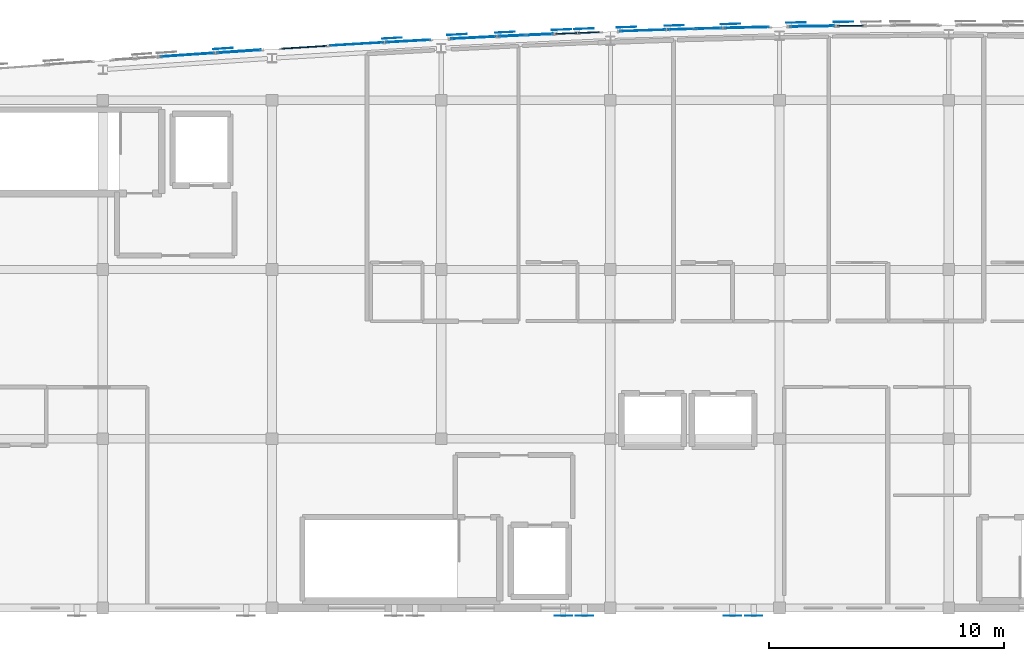
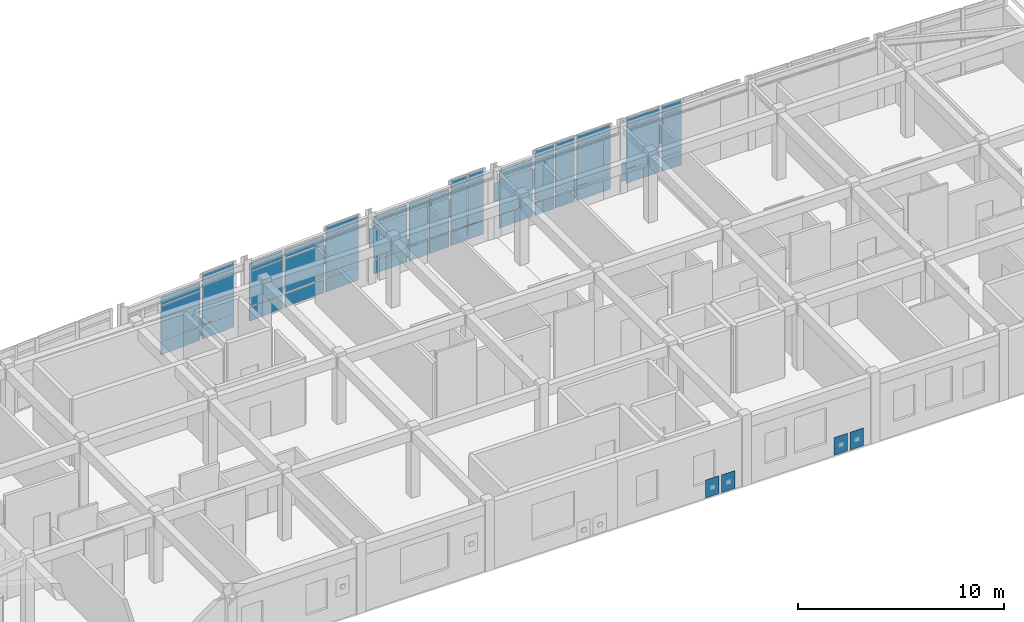
# One storey, part 17 of 24: 63 plates, 13 elements without a shape of their own.
"""IFC4 building model written with IfcOpenShell, lengths in metres."""

from ifc_helpers import new_model, si_unit, direction, frame, origin, origin_2d, place, context, subcontext, project, spatial, rectangle, extrude, material, layer, layer_set, type_object, element, aggregate, save


model = new_model("IFC4")

# Units and contexts
model_context = context("Model", 3, precision=1e-05, world=origin(), true_north=direction((0.0, 1.0)))
body_context = subcontext(model_context, "Body", "Model", "MODEL_VIEW")
ifc_project = project(units=[si_unit("LENGTHUNIT", "METRE"), si_unit("AREAUNIT", "SQUARE_METRE"), si_unit("VOLUMEUNIT", "CUBIC_METRE"), si_unit("PLANEANGLEUNIT", "RADIAN"), si_unit("MASSUNIT", "GRAM", prefix="KILO")], contexts=[model_context])

# Site, building, storey
site_placement = place(None, origin())
site = spatial("IfcSite", under=ifc_project, at=site_placement, CompositionType="ELEMENT")
building_placement = place(site_placement, origin())
building = spatial("IfcBuilding", under=site, at=building_placement, Name="Carrowvane Square Congress Hotel", CompositionType="ELEMENT")
storey_placement = place(building_placement, frame((0.0, 0.0, 44.39990234375)))
storey = spatial("IfcBuildingStorey", under=building, at=storey_placement, Name="L11", CompositionType="ELEMENT", Elevation=44.39990234375)

# Curtain wall, plates
ifc_material_1 = material(Name="Anodised aluminium", Category="aluminium")
ifc_layer_1 = layer(ifc_material_1, 0.197998046875)
ifc_layer_set_1 = layer_set([ifc_layer_1], Name="Anodised aluminium")
curtain_wall_type_1 = type_object("IfcCurtainWallType", Name="CW-SYS-4", PredefinedType="NOTDEFINED", material=ifc_layer_set_1)
curtain_wall_1_placement = place(storey_placement, origin())
curtain_wall_1 = element("IfcCurtainWall", 1, at=curtain_wall_1_placement, inside=storey, type_object=curtain_wall_type_1, Name="L11 unitised curtain wall 595", PredefinedType="NOTDEFINED")
ifc_material_2 = material(Name="Double-glazed low-E glass", Category="glass")
ifc_layer_2 = layer(ifc_material_2, 0.028076171875)
ifc_layer_set_2 = layer_set([ifc_layer_2], Name="Double-glazed low-E glass")
plate_type_1 = type_object("IfcPlateType", Name="CW-PAN-1", PredefinedType="CURTAIN_PANEL", material=ifc_layer_set_2)
plate_1_placement = place(storey_placement, frame((72.800048828125, 115.795166015625, 0.070068359375), z_axis=(0.0, 0.0, 1.0), x_axis=(0.998266763162, 0.058851249486, 0.0)))
plate_1 = element("IfcPlate", 2, at=plate_1_placement, type_object=plate_type_1, Name="CW-4 panel 1.1", PredefinedType="CURTAIN_PANEL", context=body_context, shape_type="SweptSolid", body=[
    extrude(rectangle(XDim=2.26416015625, YDim=0.028076171875, at=origin_2d()), origin(), (0.0, 0.0, 1.0), 0.794921875),
])
plate_2_placement = place(storey_placement, frame((72.800048828125, 115.795166015625, 0.93505859375), z_axis=(0.0, 0.0, 1.0), x_axis=(0.998266763162, 0.058851249486, 0.0)))
plate_2 = element("IfcPlate", 3, at=plate_2_placement, type_object=plate_type_1, Name="CW-4 panel 1.2", PredefinedType="CURTAIN_PANEL", context=body_context, shape_type="SweptSolid", body=[
    extrude(rectangle(XDim=2.26416015625, YDim=0.028076171875, at=origin_2d()), origin(), (0.0, 0.0, 1.0), 2.005615234375),
])
plate_3_placement = place(storey_placement, frame((72.800048828125, 115.795166015625, 3.0107421875), z_axis=(0.0, 0.0, 1.0), x_axis=(0.998266763162, 0.058851249486, 0.0)))
plate_3 = element("IfcPlate", 4, at=plate_3_placement, type_object=plate_type_1, Name="CW-4 panel 1.3", PredefinedType="CURTAIN_PANEL", context=body_context, shape_type="SweptSolid", body=[
    extrude(rectangle(XDim=2.26416015625, YDim=0.028076171875, at=origin_2d()), origin(), (0.0, 0.0, 1.0), 0.445068359375),
])
aggregate(curtain_wall_1, [plate_1, plate_2, plate_3])

ifc_material_3 = material(Name="Anodised aluminium", Category="aluminium")
ifc_layer_3 = layer(ifc_material_3, 0.162109375)
ifc_layer_set_3 = layer_set([ifc_layer_3], Name="Anodised aluminium")
curtain_wall_type_2 = type_object("IfcCurtainWallType", Name="CW-SYS-1", PredefinedType="NOTDEFINED", material=ifc_layer_set_3)
curtain_wall_2_placement = place(storey_placement, origin())
curtain_wall_2 = element("IfcCurtainWall", 5, at=curtain_wall_2_placement, inside=storey, type_object=curtain_wall_type_2, Name="L11 unitised curtain wall 600", PredefinedType="NOTDEFINED")
plate_4_placement = place(storey_placement, frame((84.9853515625, 116.371826171875, 0.06005859375), z_axis=(0.0, 0.0, 1.0), x_axis=(0.999403774749, 0.034526729036, 0.0)))
plate_4 = element("IfcPlate", 6, at=plate_4_placement, type_object=plate_type_1, Name="CW-1 panel 1.1", PredefinedType="CURTAIN_PANEL", context=body_context, shape_type="SweptSolid", body=[
    extrude(rectangle(XDim=1.91064453125, YDim=0.028076171875, at=origin_2d()), origin(), (0.0, 0.0, 1.0), 0.81005859375),
])
plate_5_placement = place(storey_placement, frame((84.9853515625, 116.371826171875, 0.93017578125), z_axis=(0.0, 0.0, 1.0), x_axis=(0.999403774749, 0.034526729036, 0.0)))
plate_5 = element("IfcPlate", 7, at=plate_5_placement, type_object=plate_type_1, Name="CW-1 panel 1.2", PredefinedType="CURTAIN_PANEL", context=body_context, shape_type="SweptSolid", body=[
    extrude(rectangle(XDim=1.91064453125, YDim=0.028076171875, at=origin_2d()), origin(), (0.0, 0.0, 1.0), 2.015625),
])
plate_6_placement = place(storey_placement, frame((84.9853515625, 116.371826171875, 3.005615234375), z_axis=(0.0, 0.0, 1.0), x_axis=(0.999403774749, 0.034526729036, 0.0)))
plate_6 = element("IfcPlate", 8, at=plate_6_placement, type_object=plate_type_1, Name="CW-1 panel 1.3", PredefinedType="CURTAIN_PANEL", context=body_context, shape_type="SweptSolid", body=[
    extrude(rectangle(XDim=1.91064453125, YDim=0.028076171875, at=origin_2d()), origin(), (0.0, 0.0, 1.0), 0.4599609375),
])
aggregate(curtain_wall_2, [plate_4, plate_5, plate_6])

ifc_material_4 = material(Name="Anodised aluminium", Category="aluminium")
ifc_layer_4 = layer(ifc_material_4, 0.2099609375)
ifc_layer_set_4 = layer_set([ifc_layer_4], Name="Anodised aluminium")
curtain_wall_type_3 = type_object("IfcCurtainWallType", Name="CW-SYS-5", PredefinedType="NOTDEFINED", material=ifc_layer_set_4)
curtain_wall_3_placement = place(storey_placement, origin())
curtain_wall_3 = element("IfcCurtainWall", 9, at=curtain_wall_3_placement, inside=storey, type_object=curtain_wall_type_3, Name="L11 unitised curtain wall 596", PredefinedType="NOTDEFINED")
ifc_material_5 = material(Name="Double-glazed low-E glass", Category="glass")
ifc_layer_5 = layer(ifc_material_5, 0.031982421875)
ifc_layer_set_5 = layer_set([ifc_layer_5], Name="Double-glazed low-E glass")
plate_type_2 = type_object("IfcPlateType", Name="CW-PAN-2", PredefinedType="CURTAIN_PANEL", material=ifc_layer_set_5)
plate_7_placement = place(storey_placement, frame((74.997802734375, 115.920654296875, 0.06005859375), z_axis=(0.0, 0.0, 1.0), x_axis=(0.998496473856, 0.054815980317, 0.0)))
plate_7 = element("IfcPlate", 10, at=plate_7_placement, type_object=plate_type_2, Name="CW-5 panel 1.1", PredefinedType="CURTAIN_PANEL", context=body_context, shape_type="SweptSolid", body=[
    extrude(rectangle(XDim=1.87841796875, YDim=0.031982421875, at=origin_2d()), origin(), (0.0, 0.0, 1.0), 0.81005859375),
])
plate_8_placement = place(storey_placement, frame((74.997802734375, 115.920654296875, 0.93017578125), z_axis=(0.0, 0.0, 1.0), x_axis=(0.998496473856, 0.054815980317, 0.0)))
plate_8 = element("IfcPlate", 11, at=plate_8_placement, type_object=plate_type_2, Name="CW-5 panel 1.2", PredefinedType="CURTAIN_PANEL", context=body_context, shape_type="SweptSolid", body=[
    extrude(rectangle(XDim=1.87841796875, YDim=0.031982421875, at=origin_2d()), origin(), (0.0, 0.0, 1.0), 2.43994140625),
])
plate_9_placement = place(storey_placement, frame((74.997802734375, 115.920654296875, 3.43017578125), z_axis=(0.0, 0.0, 1.0), x_axis=(0.998496473856, 0.054815980317, 0.0)))
plate_9 = element("IfcPlate", 12, at=plate_9_placement, type_object=plate_type_2, Name="CW-5 panel 1.3", PredefinedType="CURTAIN_PANEL", context=body_context, shape_type="SweptSolid", body=[
    extrude(rectangle(XDim=1.87841796875, YDim=0.031982421875, at=origin_2d()), origin(), (0.0, 0.0, 1.0), 0.4599609375),
])
aggregate(curtain_wall_3, [plate_7, plate_8, plate_9])

ifc_material_6 = material(Name="Anodised aluminium", Category="aluminium")
ifc_layer_6 = layer(ifc_material_6, 0.174072265625)
ifc_layer_set_6 = layer_set([ifc_layer_6], Name="Anodised aluminium")
curtain_wall_type_4 = type_object("IfcCurtainWallType", Name="CW-SYS-2", PredefinedType="NOTDEFINED", material=ifc_layer_set_6)
curtain_wall_4_placement = place(storey_placement, origin())
curtain_wall_4 = element("IfcCurtainWall", 13, at=curtain_wall_4_placement, inside=storey, type_object=curtain_wall_type_4, Name="L11 unitised curtain wall 601", PredefinedType="NOTDEFINED")
plate_10_placement = place(storey_placement, frame((86.617431640625, 116.424560546875, 0.070068359375), z_axis=(0.0, 0.0, 1.0), x_axis=(0.999589848065, 0.028638010501, 0.0)))
plate_10 = element("IfcPlate", 14, at=plate_10_placement, type_object=plate_type_2, Name="CW-2 panel 1.1", PredefinedType="CURTAIN_PANEL", context=body_context, shape_type="SweptSolid", body=[
    extrude(rectangle(XDim=1.095458984375, YDim=0.031982421875, at=origin_2d()), origin(), (0.0, 0.0, 1.0), 0.794921875),
])
plate_11_placement = place(storey_placement, frame((86.617431640625, 116.424560546875, 0.93505859375), z_axis=(0.0, 0.0, 1.0), x_axis=(0.999589848065, 0.028638010501, 0.0)))
plate_11 = element("IfcPlate", 15, at=plate_11_placement, type_object=plate_type_2, Name="CW-2 panel 1.2", PredefinedType="CURTAIN_PANEL", context=body_context, shape_type="SweptSolid", body=[
    extrude(rectangle(XDim=1.095458984375, YDim=0.031982421875, at=origin_2d()), origin(), (0.0, 0.0, 1.0), 2.429931640625),
])
plate_12_placement = place(storey_placement, frame((86.617431640625, 116.424560546875, 3.43505859375), z_axis=(0.0, 0.0, 1.0), x_axis=(0.999589848065, 0.028638010501, 0.0)))
plate_12 = element("IfcPlate", 16, at=plate_12_placement, type_object=plate_type_2, Name="CW-2 panel 1.3", PredefinedType="CURTAIN_PANEL", context=body_context, shape_type="SweptSolid", body=[
    extrude(rectangle(XDim=1.095458984375, YDim=0.031982421875, at=origin_2d()), origin(), (0.0, 0.0, 1.0), 0.445068359375),
])
plate_13_placement = place(storey_placement, frame((87.782470703125, 116.4580078125, 0.070068359375), z_axis=(0.0, 0.0, 1.0), x_axis=(0.999589848065, 0.028638010501, 0.0)))
plate_13 = element("IfcPlate", 17, at=plate_13_placement, type_object=plate_type_2, Name="CW-2 panel 2.1", PredefinedType="CURTAIN_PANEL", context=body_context, shape_type="SweptSolid", body=[
    extrude(rectangle(XDim=1.095458984375, YDim=0.031982421875, at=origin_2d()), origin(), (0.0, 0.0, 1.0), 0.794921875),
])
plate_14_placement = place(storey_placement, frame((87.782470703125, 116.4580078125, 0.93505859375), z_axis=(0.0, 0.0, 1.0), x_axis=(0.999589848065, 0.028638010501, 0.0)))
plate_14 = element("IfcPlate", 18, at=plate_14_placement, type_object=plate_type_2, Name="CW-2 panel 2.2", PredefinedType="CURTAIN_PANEL", context=body_context, shape_type="SweptSolid", body=[
    extrude(rectangle(XDim=1.095458984375, YDim=0.031982421875, at=origin_2d()), origin(), (0.0, 0.0, 1.0), 2.429931640625),
])
plate_15_placement = place(storey_placement, frame((87.782470703125, 116.4580078125, 3.43505859375), z_axis=(0.0, 0.0, 1.0), x_axis=(0.999589848065, 0.028638010501, 0.0)))
plate_15 = element("IfcPlate", 19, at=plate_15_placement, type_object=plate_type_2, Name="CW-2 panel 2.3", PredefinedType="CURTAIN_PANEL", context=body_context, shape_type="SweptSolid", body=[
    extrude(rectangle(XDim=1.095458984375, YDim=0.031982421875, at=origin_2d()), origin(), (0.0, 0.0, 1.0), 0.445068359375),
])
aggregate(curtain_wall_4, [plate_10, plate_11, plate_12, plate_13, plate_14, plate_15])

curtain_wall_5_placement = place(storey_placement, origin())
curtain_wall_5 = element("IfcCurtainWall", 20, at=curtain_wall_5_placement, inside=storey, type_object=curtain_wall_type_2, Name="L11 unitised curtain wall 592", PredefinedType="NOTDEFINED")
ifc_material_7 = material(Name="Double-glazed low-E glass", Category="glass")
ifc_layer_7 = layer(ifc_material_7, 0.035888671875)
ifc_layer_set_7 = layer_set([ifc_layer_7], Name="Double-glazed low-E glass")
plate_type_3 = type_object("IfcPlateType", Name="CW-PAN-3", PredefinedType="CURTAIN_PANEL", material=ifc_layer_set_7)
plate_16_placement = place(storey_placement, frame((65.599853515625, 115.33544921875, 0.06005859375), z_axis=(0.0, 0.0, 1.0), x_axis=(0.997694484404, 0.067865424104, 0.0)))
plate_16 = element("IfcPlate", 21, at=plate_16_placement, type_object=plate_type_3, Name="CW-1 panel 1.1", PredefinedType="CURTAIN_PANEL", context=body_context, shape_type="SweptSolid", body=[
    extrude(rectangle(XDim=2.285400390625, YDim=0.035888671875, at=origin_2d()), origin(), (0.0, 0.0, 1.0), 0.81005859375),
])
plate_17_placement = place(storey_placement, frame((65.599853515625, 115.33544921875, 0.93017578125), z_axis=(0.0, 0.0, 1.0), x_axis=(0.997694484404, 0.067865424104, 0.0)))
plate_17 = element("IfcPlate", 22, at=plate_17_placement, type_object=plate_type_3, Name="CW-1 panel 1.2", PredefinedType="CURTAIN_PANEL", context=body_context, shape_type="SweptSolid", body=[
    extrude(rectangle(XDim=2.285400390625, YDim=0.035888671875, at=origin_2d()), origin(), (0.0, 0.0, 1.0), 2.015625),
])
plate_18_placement = place(storey_placement, frame((65.599853515625, 115.33544921875, 3.005615234375), z_axis=(0.0, 0.0, 1.0), x_axis=(0.997694484404, 0.067865424104, 0.0)))
plate_18 = element("IfcPlate", 23, at=plate_18_placement, type_object=plate_type_3, Name="CW-1 panel 1.3", PredefinedType="CURTAIN_PANEL", context=body_context, shape_type="SweptSolid", body=[
    extrude(rectangle(XDim=2.285400390625, YDim=0.035888671875, at=origin_2d()), origin(), (0.0, 0.0, 1.0), 0.4599609375),
])
aggregate(curtain_wall_5, [plate_16, plate_17, plate_18])

ifc_material_8 = material(Name="Anodised aluminium", Category="aluminium")
ifc_layer_8 = layer(ifc_material_8, 0.221923828125)
ifc_layer_set_8 = layer_set([ifc_layer_8], Name="Anodised aluminium")
curtain_wall_type_5 = type_object("IfcCurtainWallType", Name="CW-SYS-6", PredefinedType="NOTDEFINED", material=ifc_layer_set_8)
curtain_wall_6_placement = place(storey_placement, origin())
curtain_wall_6 = element("IfcCurtainWall", 24, at=curtain_wall_6_placement, inside=storey, type_object=curtain_wall_type_5, Name="L11 unitised curtain wall 597", PredefinedType="NOTDEFINED")
plate_19_placement = place(storey_placement, frame((77.7822265625, 116.067138671875, 0.070068359375), z_axis=(0.0, 0.0, 1.0), x_axis=(0.998732955299, 0.050323791596, 0.0)))
plate_19 = element("IfcPlate", 25, at=plate_19_placement, type_object=plate_type_3, Name="CW-6 panel 1.1", PredefinedType="CURTAIN_PANEL", context=body_context, shape_type="SweptSolid", body=[
    extrude(rectangle(XDim=1.89794921875, YDim=0.035888671875, at=origin_2d()), origin(), (0.0, 0.0, 1.0), 0.794921875),
])
plate_20_placement = place(storey_placement, frame((77.7822265625, 116.067138671875, 0.93505859375), z_axis=(0.0, 0.0, 1.0), x_axis=(0.998732955299, 0.050323791596, 0.0)))
plate_20 = element("IfcPlate", 26, at=plate_20_placement, type_object=plate_type_3, Name="CW-6 panel 1.2", PredefinedType="CURTAIN_PANEL", context=body_context, shape_type="SweptSolid", body=[
    extrude(rectangle(XDim=1.89794921875, YDim=0.035888671875, at=origin_2d()), origin(), (0.0, 0.0, 1.0), 2.005615234375),
])
plate_21_placement = place(storey_placement, frame((77.7822265625, 116.067138671875, 3.0107421875), z_axis=(0.0, 0.0, 1.0), x_axis=(0.998732955299, 0.050323791596, 0.0)))
plate_21 = element("IfcPlate", 27, at=plate_21_placement, type_object=plate_type_3, Name="CW-6 panel 1.3", PredefinedType="CURTAIN_PANEL", context=body_context, shape_type="SweptSolid", body=[
    extrude(rectangle(XDim=1.89794921875, YDim=0.035888671875, at=origin_2d()), origin(), (0.0, 0.0, 1.0), 0.445068359375),
])
aggregate(curtain_wall_6, [plate_19, plate_20, plate_21])

ifc_material_9 = material(Name="Anodised aluminium", Category="aluminium")
ifc_layer_9 = layer(ifc_material_9, 0.18603515625)
ifc_layer_set_9 = layer_set([ifc_layer_9], Name="Anodised aluminium")
curtain_wall_type_6 = type_object("IfcCurtainWallType", Name="CW-SYS-3", PredefinedType="NOTDEFINED", material=ifc_layer_set_9)
curtain_wall_7_placement = place(storey_placement, origin())
curtain_wall_7 = element("IfcCurtainWall", 28, at=curtain_wall_7_placement, inside=storey, type_object=curtain_wall_type_6, Name="L11 unitised curtain wall 602", PredefinedType="NOTDEFINED")
plate_22_placement = place(storey_placement, frame((89.40380859375, 116.498291015625, 0.06005859375), z_axis=(0.0, 0.0, 1.0), x_axis=(0.99974644475, 0.022517686606, 0.0)))
plate_22 = element("IfcPlate", 29, at=plate_22_placement, type_object=plate_type_3, Name="CW-3 panel 1.1", PredefinedType="CURTAIN_PANEL", context=body_context, shape_type="SweptSolid", body=[
    extrude(rectangle(XDim=1.88818359375, YDim=0.035888671875, at=origin_2d()), origin(), (0.0, 0.0, 1.0), 0.81005859375),
])
plate_23_placement = place(storey_placement, frame((89.40380859375, 116.498291015625, 0.93017578125), z_axis=(0.0, 0.0, 1.0), x_axis=(0.99974644475, 0.022517686606, 0.0)))
plate_23 = element("IfcPlate", 30, at=plate_23_placement, type_object=plate_type_3, Name="CW-3 panel 1.2", PredefinedType="CURTAIN_PANEL", context=body_context, shape_type="SweptSolid", body=[
    extrude(rectangle(XDim=1.88818359375, YDim=0.035888671875, at=origin_2d()), origin(), (0.0, 0.0, 1.0), 2.43994140625),
])
plate_24_placement = place(storey_placement, frame((89.40380859375, 116.498291015625, 3.43017578125), z_axis=(0.0, 0.0, 1.0), x_axis=(0.99974644475, 0.022517686606, 0.0)))
plate_24 = element("IfcPlate", 31, at=plate_24_placement, type_object=plate_type_3, Name="CW-3 panel 1.3", PredefinedType="CURTAIN_PANEL", context=body_context, shape_type="SweptSolid", body=[
    extrude(rectangle(XDim=1.88818359375, YDim=0.035888671875, at=origin_2d()), origin(), (0.0, 0.0, 1.0), 0.4599609375),
])
aggregate(curtain_wall_7, [plate_22, plate_23, plate_24])

curtain_wall_8_placement = place(storey_placement, origin())
curtain_wall_8 = element("IfcCurtainWall", 32, at=curtain_wall_8_placement, inside=storey, type_object=curtain_wall_type_4, Name="L11 unitised curtain wall 593", PredefinedType="NOTDEFINED")
ifc_material_10 = material(Name="Double-glazed low-E glass", Category="glass")
ifc_layer_10 = layer(ifc_material_10, 0.0419921875)
ifc_layer_set_10 = layer_set([ifc_layer_10], Name="Double-glazed low-E glass")
plate_type_4 = type_object("IfcPlateType", Name="CW-PAN-4", PredefinedType="CURTAIN_PANEL", material=ifc_layer_set_10)
plate_25_placement = place(storey_placement, frame((67.795654296875, 115.482177734375, 0.070068359375), z_axis=(0.0, 0.0, 1.0), x_axis=(0.997858327155, 0.065412223074, 0.0)))
plate_25 = element("IfcPlate", 33, at=plate_25_placement, type_object=plate_type_4, Name="CW-2 panel 1.1", PredefinedType="CURTAIN_PANEL", context=body_context, shape_type="SweptSolid", body=[
    extrude(rectangle(XDim=1.855712890625, YDim=0.0419921875, at=origin_2d()), origin(), (0.0, 0.0, 1.0), 0.794921875),
])
plate_26_placement = place(storey_placement, frame((67.795654296875, 115.482177734375, 0.93505859375), z_axis=(0.0, 0.0, 1.0), x_axis=(0.997858327155, 0.065412223074, 0.0)))
plate_26 = element("IfcPlate", 34, at=plate_26_placement, type_object=plate_type_4, Name="CW-2 panel 1.2", PredefinedType="CURTAIN_PANEL", context=body_context, shape_type="SweptSolid", body=[
    extrude(rectangle(XDim=1.855712890625, YDim=0.0419921875, at=origin_2d()), origin(), (0.0, 0.0, 1.0), 2.429931640625),
])
plate_27_placement = place(storey_placement, frame((67.795654296875, 115.482177734375, 3.43505859375), z_axis=(0.0, 0.0, 1.0), x_axis=(0.997858327155, 0.065412223074, 0.0)))
plate_27 = element("IfcPlate", 35, at=plate_27_placement, type_object=plate_type_4, Name="CW-2 panel 1.3", PredefinedType="CURTAIN_PANEL", context=body_context, shape_type="SweptSolid", body=[
    extrude(rectangle(XDim=1.855712890625, YDim=0.0419921875, at=origin_2d()), origin(), (0.0, 0.0, 1.0), 0.445068359375),
])
aggregate(curtain_wall_8, [plate_25, plate_26, plate_27])

ifc_material_11 = material(Name="Anodised aluminium", Category="aluminium")
ifc_layer_11 = layer(ifc_material_11, 0.23388671875)
ifc_layer_set_11 = layer_set([ifc_layer_11], Name="Anodised aluminium")
curtain_wall_type_7 = type_object("IfcCurtainWallType", Name="CW-SYS-7", PredefinedType="NOTDEFINED", material=ifc_layer_set_11)
curtain_wall_9_placement = place(storey_placement, origin())
curtain_wall_9 = element("IfcCurtainWall", 36, at=curtain_wall_9_placement, inside=storey, type_object=curtain_wall_type_7, Name="L11 unitised curtain wall 598", PredefinedType="NOTDEFINED")
plate_28_placement = place(storey_placement, frame((79.4150390625, 116.146484375, 0.06005859375), z_axis=(0.0, 0.0, 1.0), x_axis=(0.998968385726, 0.045411059449, 0.0)))
plate_28 = element("IfcPlate", 37, at=plate_28_placement, type_object=plate_type_4, Name="CW-7 panel 1.1", PredefinedType="CURTAIN_PANEL", context=body_context, shape_type="SweptSolid", body=[
    extrude(rectangle(XDim=1.111328125, YDim=0.0419921875, at=origin_2d()), origin(), (0.0, 0.0, 1.0), 0.81005859375),
])
plate_29_placement = place(storey_placement, frame((79.4150390625, 116.146484375, 0.93017578125), z_axis=(0.0, 0.0, 1.0), x_axis=(0.998968385726, 0.045411059449, 0.0)))
plate_29 = element("IfcPlate", 38, at=plate_29_placement, type_object=plate_type_4, Name="CW-7 panel 1.2", PredefinedType="CURTAIN_PANEL", context=body_context, shape_type="SweptSolid", body=[
    extrude(rectangle(XDim=1.111328125, YDim=0.0419921875, at=origin_2d()), origin(), (0.0, 0.0, 1.0), 2.015625),
])
plate_30_placement = place(storey_placement, frame((79.4150390625, 116.146484375, 3.005615234375), z_axis=(0.0, 0.0, 1.0), x_axis=(0.998968385726, 0.045411059449, 0.0)))
plate_30 = element("IfcPlate", 39, at=plate_30_placement, type_object=plate_type_4, Name="CW-7 panel 1.3", PredefinedType="CURTAIN_PANEL", context=body_context, shape_type="SweptSolid", body=[
    extrude(rectangle(XDim=1.111328125, YDim=0.0419921875, at=origin_2d()), origin(), (0.0, 0.0, 1.0), 0.4599609375),
])
plate_31_placement = place(storey_placement, frame((80.5849609375, 116.19970703125, 0.06005859375), z_axis=(0.0, 0.0, 1.0), x_axis=(0.998968385726, 0.045411059449, 0.0)))
plate_31 = element("IfcPlate", 40, at=plate_31_placement, type_object=plate_type_4, Name="CW-7 panel 2.1", PredefinedType="CURTAIN_PANEL", context=body_context, shape_type="SweptSolid", body=[
    extrude(rectangle(XDim=1.111328125, YDim=0.0419921875, at=origin_2d()), origin(), (0.0, 0.0, 1.0), 0.81005859375),
])
plate_32_placement = place(storey_placement, frame((80.5849609375, 116.19970703125, 0.93017578125), z_axis=(0.0, 0.0, 1.0), x_axis=(0.998968385726, 0.045411059449, 0.0)))
plate_32 = element("IfcPlate", 41, at=plate_32_placement, type_object=plate_type_4, Name="CW-7 panel 2.2", PredefinedType="CURTAIN_PANEL", context=body_context, shape_type="SweptSolid", body=[
    extrude(rectangle(XDim=1.111328125, YDim=0.0419921875, at=origin_2d()), origin(), (0.0, 0.0, 1.0), 2.015625),
])
plate_33_placement = place(storey_placement, frame((80.5849609375, 116.19970703125, 3.005615234375), z_axis=(0.0, 0.0, 1.0), x_axis=(0.998968385726, 0.045411059449, 0.0)))
plate_33 = element("IfcPlate", 42, at=plate_33_placement, type_object=plate_type_4, Name="CW-7 panel 2.3", PredefinedType="CURTAIN_PANEL", context=body_context, shape_type="SweptSolid", body=[
    extrude(rectangle(XDim=1.111328125, YDim=0.0419921875, at=origin_2d()), origin(), (0.0, 0.0, 1.0), 0.4599609375),
])
aggregate(curtain_wall_9, [plate_28, plate_29, plate_30, plate_31, plate_32, plate_33])

curtain_wall_10_placement = place(storey_placement, origin())
curtain_wall_10 = element("IfcCurtainWall", 43, at=curtain_wall_10_placement, inside=storey, type_object=curtain_wall_type_1, Name="L11 unitised curtain wall 603", PredefinedType="NOTDEFINED")
plate_34_placement = place(storey_placement, frame((92.188720703125, 116.55224609375, 0.070068359375), z_axis=(0.0, 0.0, 1.0), x_axis=(0.99986851233, 0.016215981364, 0.0)))
plate_34 = element("IfcPlate", 44, at=plate_34_placement, type_object=plate_type_4, Name="CW-4 panel 1.1", PredefinedType="CURTAIN_PANEL", context=body_context, shape_type="SweptSolid", body=[
    extrude(rectangle(XDim=1.8828125, YDim=0.0419921875, at=origin_2d()), origin(), (0.0, 0.0, 1.0), 0.794921875),
])
plate_35_placement = place(storey_placement, frame((92.188720703125, 116.55224609375, 0.93505859375), z_axis=(0.0, 0.0, 1.0), x_axis=(0.99986851233, 0.016215981364, 0.0)))
plate_35 = element("IfcPlate", 45, at=plate_35_placement, type_object=plate_type_4, Name="CW-4 panel 1.2", PredefinedType="CURTAIN_PANEL", context=body_context, shape_type="SweptSolid", body=[
    extrude(rectangle(XDim=1.8828125, YDim=0.0419921875, at=origin_2d()), origin(), (0.0, 0.0, 1.0), 2.429931640625),
])
plate_36_placement = place(storey_placement, frame((92.188720703125, 116.55224609375, 3.43505859375), z_axis=(0.0, 0.0, 1.0), x_axis=(0.99986851233, 0.016215981364, 0.0)))
plate_36 = element("IfcPlate", 46, at=plate_36_placement, type_object=plate_type_4, Name="CW-4 panel 1.3", PredefinedType="CURTAIN_PANEL", context=body_context, shape_type="SweptSolid", body=[
    extrude(rectangle(XDim=1.8828125, YDim=0.0419921875, at=origin_2d()), origin(), (0.0, 0.0, 1.0), 0.445068359375),
])
aggregate(curtain_wall_10, [plate_34, plate_35, plate_36])

curtain_wall_11_placement = place(storey_placement, origin())
curtain_wall_11 = element("IfcCurtainWall", 47, at=curtain_wall_11_placement, inside=storey, type_object=curtain_wall_type_6, Name="L11 unitised curtain wall 594", PredefinedType="NOTDEFINED")
ifc_material_12 = material(Name="Double-glazed low-E glass", Category="glass")
ifc_layer_12 = layer(ifc_material_12, 0.048095703125)
ifc_layer_set_12 = layer_set([ifc_layer_12], Name="Double-glazed low-E glass")
plate_type_5 = type_object("IfcPlateType", Name="CW-PAN-5", PredefinedType="CURTAIN_PANEL", material=ifc_layer_set_12)
plate_37_placement = place(storey_placement, frame((70.580078125, 115.66064453125, 0.06005859375), z_axis=(0.0, 0.0, 1.0), x_axis=(0.998051378998, 0.062397474952, 0.0)))
plate_37 = element("IfcPlate", 48, at=plate_37_placement, type_object=plate_type_5, Name="CW-3 panel 1.1", PredefinedType="CURTAIN_PANEL", context=body_context, shape_type="SweptSolid", body=[
    extrude(rectangle(XDim=1.924072265625, YDim=0.048095703125, at=origin_2d()), origin(), (0.0, 0.0, 1.0), 0.81005859375),
])
plate_38_placement = place(storey_placement, frame((70.580078125, 115.66064453125, 0.93017578125), z_axis=(0.0, 0.0, 1.0), x_axis=(0.998051378998, 0.062397474952, 0.0)))
plate_38 = element("IfcPlate", 49, at=plate_38_placement, type_object=plate_type_5, Name="CW-3 panel 1.2", PredefinedType="CURTAIN_PANEL", context=body_context, shape_type="SweptSolid", body=[
    extrude(rectangle(XDim=1.924072265625, YDim=0.048095703125, at=origin_2d()), origin(), (0.0, 0.0, 1.0), 2.015625),
])
plate_39_placement = place(storey_placement, frame((70.580078125, 115.66064453125, 3.005615234375), z_axis=(0.0, 0.0, 1.0), x_axis=(0.998051378998, 0.062397474952, 0.0)))
plate_39 = element("IfcPlate", 50, at=plate_39_placement, type_object=plate_type_5, Name="CW-3 panel 1.3", PredefinedType="CURTAIN_PANEL", context=body_context, shape_type="SweptSolid", body=[
    extrude(rectangle(XDim=1.924072265625, YDim=0.048095703125, at=origin_2d()), origin(), (0.0, 0.0, 1.0), 0.4599609375),
])
aggregate(curtain_wall_11, [plate_37, plate_38, plate_39])

ifc_material_13 = material(Name="Anodised aluminium", Category="aluminium")
ifc_layer_13 = layer(ifc_material_13, 0.24609375)
ifc_layer_set_13 = layer_set([ifc_layer_13], Name="Anodised aluminium")
curtain_wall_type_8 = type_object("IfcCurtainWallType", Name="CW-SYS-8", PredefinedType="NOTDEFINED", material=ifc_layer_set_13)
curtain_wall_12_placement = place(storey_placement, origin())
curtain_wall_12 = element("IfcCurtainWall", 51, at=curtain_wall_12_placement, inside=storey, type_object=curtain_wall_type_8, Name="L11 unitised curtain wall 599", PredefinedType="NOTDEFINED")
plate_40_placement = place(storey_placement, frame((81.7177734375, 116.248291015625, 0.070068359375), z_axis=(0.0, 0.0, 1.0), x_axis=(0.999194236464, 0.040135742379, 0.0)))
plate_40 = element("IfcPlate", 52, at=plate_40_placement, type_object=plate_type_5, Name="CW-8 panel 1.1", PredefinedType="CURTAIN_PANEL", context=body_context, shape_type="SweptSolid", body=[
    extrude(rectangle(XDim=0.896240234375, YDim=0.048095703125, at=origin_2d()), origin(), (0.0, 0.0, 1.0), 0.794921875),
])
plate_41_placement = place(storey_placement, frame((81.7177734375, 116.248291015625, 0.93505859375), z_axis=(0.0, 0.0, 1.0), x_axis=(0.999194236464, 0.040135742379, 0.0)))
plate_41 = element("IfcPlate", 53, at=plate_41_placement, type_object=plate_type_5, Name="CW-8 panel 1.2", PredefinedType="CURTAIN_PANEL", context=body_context, shape_type="SweptSolid", body=[
    extrude(rectangle(XDim=0.896240234375, YDim=0.048095703125, at=origin_2d()), origin(), (0.0, 0.0, 1.0), 2.429931640625),
])
plate_42_placement = place(storey_placement, frame((81.7177734375, 116.248291015625, 3.43505859375), z_axis=(0.0, 0.0, 1.0), x_axis=(0.999194236464, 0.040135742379, 0.0)))
plate_42 = element("IfcPlate", 54, at=plate_42_placement, type_object=plate_type_5, Name="CW-8 panel 1.3", PredefinedType="CURTAIN_PANEL", context=body_context, shape_type="SweptSolid", body=[
    extrude(rectangle(XDim=0.896240234375, YDim=0.048095703125, at=origin_2d()), origin(), (0.0, 0.0, 1.0), 0.445068359375),
])
plate_43_placement = place(storey_placement, frame((82.683349609375, 116.287109375, 0.070068359375), z_axis=(0.0, 0.0, 1.0), x_axis=(0.999194236464, 0.040135742379, 0.0)))
plate_43 = element("IfcPlate", 55, at=plate_43_placement, type_object=plate_type_5, Name="CW-8 panel 2.1", PredefinedType="CURTAIN_PANEL", context=body_context, shape_type="SweptSolid", body=[
    extrude(rectangle(XDim=0.896240234375, YDim=0.048095703125, at=origin_2d()), origin(), (0.0, 0.0, 1.0), 0.794921875),
])
plate_44_placement = place(storey_placement, frame((82.683349609375, 116.287109375, 0.93505859375), z_axis=(0.0, 0.0, 1.0), x_axis=(0.999194236464, 0.040135742379, 0.0)))
plate_44 = element("IfcPlate", 56, at=plate_44_placement, type_object=plate_type_5, Name="CW-8 panel 2.2", PredefinedType="CURTAIN_PANEL", context=body_context, shape_type="SweptSolid", body=[
    extrude(rectangle(XDim=0.896240234375, YDim=0.048095703125, at=origin_2d()), origin(), (0.0, 0.0, 1.0), 2.429931640625),
])
plate_45_placement = place(storey_placement, frame((82.683349609375, 116.287109375, 3.43505859375), z_axis=(0.0, 0.0, 1.0), x_axis=(0.999194236464, 0.040135742379, 0.0)))
plate_45 = element("IfcPlate", 57, at=plate_45_placement, type_object=plate_type_5, Name="CW-8 panel 2.3", PredefinedType="CURTAIN_PANEL", context=body_context, shape_type="SweptSolid", body=[
    extrude(rectangle(XDim=0.896240234375, YDim=0.048095703125, at=origin_2d()), origin(), (0.0, 0.0, 1.0), 0.445068359375),
])
aggregate(curtain_wall_12, [plate_40, plate_41, plate_42, plate_43, plate_44, plate_45])

curtain_wall_13_placement = place(storey_placement, origin())
curtain_wall_13 = element("IfcCurtainWall", 58, at=curtain_wall_13_placement, inside=storey, type_object=curtain_wall_type_3, Name="L11 unitised curtain wall 604", PredefinedType="NOTDEFINED")
plate_46_placement = place(storey_placement, frame((93.81494140625, 116.57470703125, 0.06005859375), z_axis=(0.0, 0.0, 1.0), x_axis=(0.999952146231, 0.009782905924, 0.0)))
plate_46 = element("IfcPlate", 59, at=plate_46_placement, type_object=plate_type_5, Name="CW-5 panel 1.1", PredefinedType="CURTAIN_PANEL", context=body_context, shape_type="SweptSolid", body=[
    extrude(rectangle(XDim=1.110107421875, YDim=0.048095703125, at=origin_2d()), origin(), (0.0, 0.0, 1.0), 0.81005859375),
])
plate_47_placement = place(storey_placement, frame((93.81494140625, 116.57470703125, 0.93017578125), z_axis=(0.0, 0.0, 1.0), x_axis=(0.999952146231, 0.009782905924, 0.0)))
plate_47 = element("IfcPlate", 60, at=plate_47_placement, type_object=plate_type_5, Name="CW-5 panel 1.2", PredefinedType="CURTAIN_PANEL", context=body_context, shape_type="SweptSolid", body=[
    extrude(rectangle(XDim=1.110107421875, YDim=0.048095703125, at=origin_2d()), origin(), (0.0, 0.0, 1.0), 2.43994140625),
])
plate_48_placement = place(storey_placement, frame((93.81494140625, 116.57470703125, 3.43017578125), z_axis=(0.0, 0.0, 1.0), x_axis=(0.999952146231, 0.009782905924, 0.0)))
plate_48 = element("IfcPlate", 61, at=plate_48_placement, type_object=plate_type_5, Name="CW-5 panel 1.3", PredefinedType="CURTAIN_PANEL", context=body_context, shape_type="SweptSolid", body=[
    extrude(rectangle(XDim=1.110107421875, YDim=0.048095703125, at=origin_2d()), origin(), (0.0, 0.0, 1.0), 0.4599609375),
])
aggregate(curtain_wall_13, [plate_46, plate_47, plate_48])

# Plates
ifc_material_14 = material(Name="Champagne-gold anodised aluminium", Category="aluminium")
ifc_layer_14 = layer(ifc_material_14, 0.011962890625)
ifc_layer_set_14 = layer_set([ifc_layer_14], Name="Champagne-gold anodised aluminium")
plate_type_6 = type_object("IfcPlateType", Name="PLT-PIX-GOLD12", PredefinedType="SHEET", material=ifc_layer_set_14)
for number, where, z_axis, x_axis, name in (
    (62, (67.11328125, 115.603759765625, 0.1201171875), (0.0, 0.0, 1.0), (0.99785825325, 0.065413350476, 0.0), "Champagne-gold pixel screen plate 1008"),
    (63, (77.08056640625, 116.197998046875, 1.590087890625), (0.0, 0.0, 1.0), (0.998733066647, 0.050321581706, 0.0), "Champagne-gold pixel screen plate 1010"),
    (64, (81.517822265625, 116.406494140625, 1.590087890625), (0.0, 0.0, 1.0), (0.999194294234, 0.040134304148, 0.0), "Champagne-gold pixel screen plate 1012"),
    (65, (82.4833984375, 116.4453125, 0.1201171875), (0.0, 0.0, 1.0), (0.999194294234, 0.040134304148, 0.0), "Champagne-gold pixel screen plate 1013"),
    (66, (86.31982421875, 116.582275390625, 1.590087890625), (0.0, 0.0, 1.0), (0.999589805464, 0.028639497417, 0.0), "Champagne-gold pixel screen plate 1015"),
    (67, (91.49951171875, 116.70703125, 0.1201171875), (0.0, 0.0, 1.0), (0.999868508772, 0.016216200758, 0.0), "Champagne-gold pixel screen plate 1017"),
):
    element("IfcPlate", number, at=place(storey_placement, frame(where, z_axis=z_axis, x_axis=x_axis)), inside=storey, type_object=plate_type_6, Name=name, PredefinedType="SHEET", context=body_context, shape_type="SweptSolid", body=[
        extrude(rectangle(XDim=0.827880859375, YDim=0.011962890625, at=origin_2d()), origin(), (0.0, 0.0, 1.0), 1.1201171875),
    ])
for number, where, z_axis, x_axis, name in (
    (68, (82.5, 91.468994140625, 0.1552734375), (0.0, 0.0, 1.0), (-1.0, 0.0, 0.0), "Champagne-gold pixel screen plate S-1039"),
    (69, (81.60009765625, 91.468994140625, 0.1552734375), (0.0, 0.0, 1.0), (-1.0, 0.0, 0.0), "Champagne-gold pixel screen plate S-1040"),
):
    element("IfcPlate", number, at=place(storey_placement, frame(where, z_axis=z_axis, x_axis=x_axis)), inside=storey, type_object=plate_type_6, Name=name, PredefinedType="SHEET", context=body_context, shape_type="SweptSolid", body=[
        extrude(rectangle(XDim=0.738037109375, YDim=0.011962890625, at=origin_2d()), origin(), (0.0, 0.0, 1.0), 1.050048828125),
    ])
ifc_material_15 = material(Name="Champagne-gold anodised aluminium", Category="aluminium")
ifc_layer_15 = layer(ifc_material_15, 0.008056640625)
ifc_layer_set_15 = layer_set([ifc_layer_15], Name="Champagne-gold anodised aluminium")
plate_type_7 = type_object("IfcPlateType", Name="PLT-PIX-GOLD8", PredefinedType="SHEET", material=ifc_layer_set_15)
for number, where, z_axis, x_axis, name in (
    (70, (74.310302734375, 116.047119140625, 1.590087890625), (0.0, 0.0, 1.0), (0.998496552462, 0.054814548441, 0.0), "Champagne-gold pixel screen plate 1009"),
    (71, (79.112060546875, 116.296875, 0.1201171875), (0.0, 0.0, 1.0), (0.998968255262, 0.045413929349, 0.0), "Champagne-gold pixel screen plate 1011"),
    (72, (84.284423828125, 116.51171875, 1.590087890625), (0.0, 0.0, 1.0), (0.999403768784, 0.034526901703, 0.0), "Champagne-gold pixel screen plate 1014"),
    (73, (88.716064453125, 116.646728515625, 0.1201171875), (0.0, 0.0, 1.0), (0.999746418061, 0.022518871507, 0.0), "Champagne-gold pixel screen plate 1016"),
    (74, (93.51806640625, 116.73583984375, 1.590087890625), (0.0, 0.0, 1.0), (0.999952150705, 0.009782448565, 0.0), "Champagne-gold pixel screen plate 1018"),
):
    element("IfcPlate", number, at=place(storey_placement, frame(where, z_axis=z_axis, x_axis=x_axis)), inside=storey, type_object=plate_type_7, Name=name, PredefinedType="SHEET", context=body_context, shape_type="SweptSolid", body=[
        extrude(rectangle(XDim=0.827880859375, YDim=0.008056640625, at=origin_2d()), origin(), (0.0, 0.0, 1.0), 1.1201171875),
    ])
for number, where, z_axis, x_axis, name in (
    (75, (89.699951171875, 91.470947265625, 0.1552734375), (0.0, 0.0, 1.0), (-1.0, 0.0, 0.0), "Champagne-gold pixel screen plate S-1037"),
    (76, (88.800048828125, 91.470947265625, 0.1552734375), (0.0, 0.0, 1.0), (-1.0, 0.0, 0.0), "Champagne-gold pixel screen plate S-1038"),
):
    element("IfcPlate", number, at=place(storey_placement, frame(where, z_axis=z_axis, x_axis=x_axis)), inside=storey, type_object=plate_type_7, Name=name, PredefinedType="SHEET", context=body_context, shape_type="SweptSolid", body=[
        extrude(rectangle(XDim=0.738037109375, YDim=0.008056640625, at=origin_2d()), origin(), (0.0, 0.0, 1.0), 1.050048828125),
    ])

save(model, "model.ifc")
